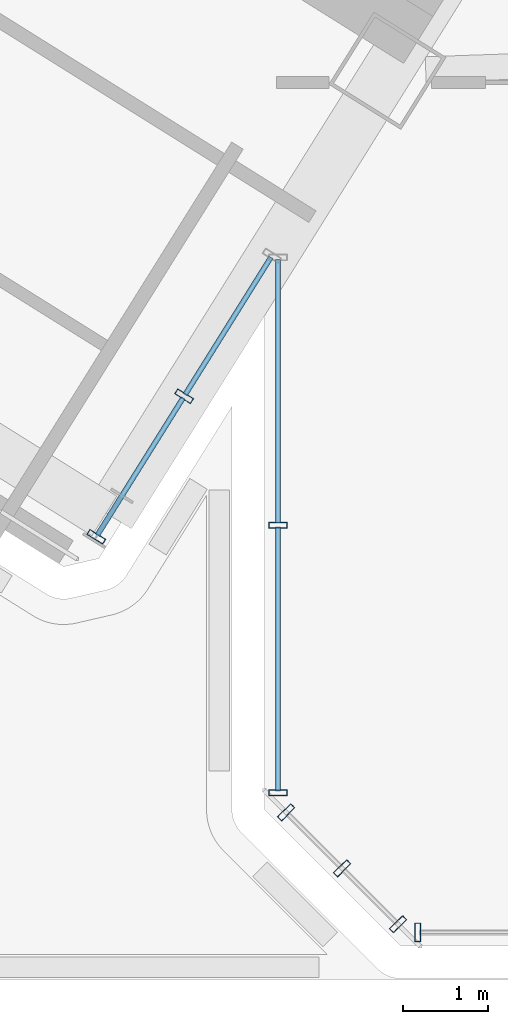
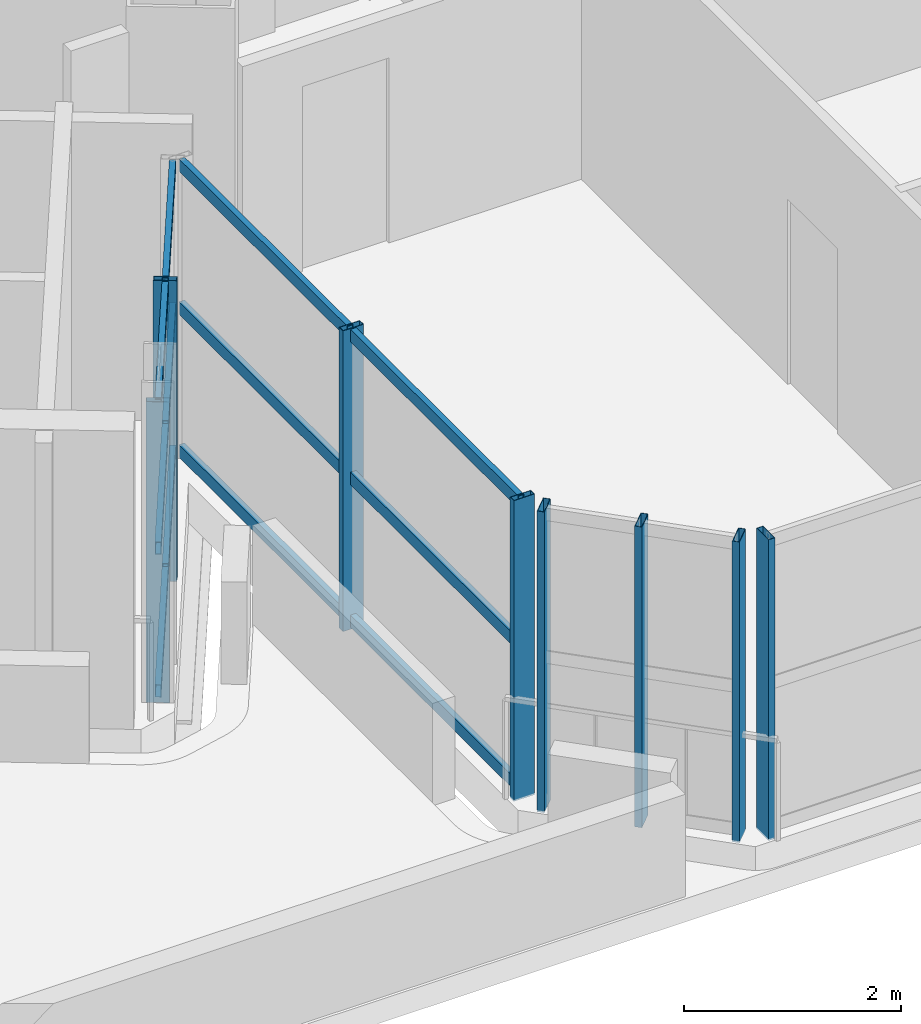
# One storey, part 4 of 28: 20 members, 4 elements without a shape of their own.
"""IFC4 building model written with IfcOpenShell, lengths in metres."""

from ifc_helpers import new_model, si_unit, direction, frame, origin, origin_2d, place, context, subcontext, project, spatial, hollow_rectangle, extrude, source, transform, mapped, material, material_profile, profile_set, type_object, element, aggregate, save


model = new_model("IFC4")

# Units and contexts
model_context = context("Model", 3, precision=1e-05, world=origin(), true_north=direction((0.0, 1.0)))
body_context = subcontext(model_context, "Body", "Model", "MODEL_VIEW")
ifc_project = project(units=[si_unit("LENGTHUNIT", "METRE"), si_unit("AREAUNIT", "SQUARE_METRE"), si_unit("VOLUMEUNIT", "CUBIC_METRE"), si_unit("PLANEANGLEUNIT", "RADIAN"), si_unit("MASSUNIT", "GRAM", prefix="KILO")], contexts=[model_context])

# Site, building, storey
site_placement = place(None, origin())
site = spatial("IfcSite", under=ifc_project, at=site_placement, CompositionType="ELEMENT")
building_placement = place(site_placement, origin())
building = spatial("IfcBuilding", under=site, at=building_placement, Name="Tlacorven Tower", CompositionType="ELEMENT")
storey_placement = place(building_placement, frame((0.0, 0.0, 24.0)))
storey = spatial("IfcBuildingStorey", under=building, at=storey_placement, Name="L05", CompositionType="ELEMENT", Elevation=24.0)

# Curtain wall, member
ifc_material_1 = material(Name="Dark solar low-E double glazing in aluminium frame", Category="aluminium")
curtain_wall_type = type_object("IfcCurtainWallType", Name="CW-TWR-LOW", PredefinedType="USERDEFINED", material=ifc_material_1)
curtain_wall_1_placement = place(storey_placement, origin())
curtain_wall_1 = element("IfcCurtainWall", 1, at=curtain_wall_1_placement, inside=storey, type_object=curtain_wall_type, Name="L05 CW-TWR-LOW Curtain Wall 22", ObjectType="UNITISED CURTAIN WALL", PredefinedType="USERDEFINED")
ifc_material_2 = material(Name="Aluminium 6063-T6 anodised", Category="aluminium")
ifc_material_profile_1 = material_profile(ifc_material_2, hollow_rectangle(XDim=0.070068359375, YDim=0.219970703125, WallThickness=0.0048828125, at=origin_2d()), Name="ALU MULLION 70X220")
ifc_profile_set_1 = profile_set([ifc_material_profile_1], Name="Aluminium 6063-T6 anodised")
member_type_1 = type_object("IfcMemberType", Name="CWM-01", PredefinedType="MULLION", material=ifc_profile_set_1)
shared_shape_1 = source(origin(), body_context, "Body", "SweptSolid", [
    extrude(hollow_rectangle(XDim=0.070068359375, YDim=0.219970703125, WallThickness=0.0048828125, at=origin_2d()), origin(), (0.0, 0.0, 1.0), 3.380126953125),
])
member_1_placement = place(storey_placement, frame((33.4013671875, 1.9599609375, -0.02001953125), z_axis=(0.0, 0.0, 1.0), x_axis=(-1.0, 0.0, 0.0)))
member_1 = element("IfcMember", 2, at=member_1_placement, type_object=member_type_1, Name="CW-L05-022 Mullion 4", PredefinedType="MULLION", context=body_context, shape_type="MappedRepresentation", body=[
    mapped(shared_shape_1, transform((0.0, 0.0, 0.0), scale=1.0)),
])
aggregate(curtain_wall_1, [member_1])

# Curtain wall, members
curtain_wall_2_placement = place(storey_placement, origin())
curtain_wall_2 = element("IfcCurtainWall", 3, at=curtain_wall_2_placement, inside=storey, type_object=curtain_wall_type, Name="L05 CW-TWR-LOW Curtain Wall 23", ObjectType="UNITISED CURTAIN WALL", PredefinedType="USERDEFINED")
member_2_placement = place(storey_placement, frame((33.1708984375, 2.055419921875, -0.02001953125), z_axis=(0.0, 0.0, 1.0), x_axis=(-0.707106781187, 0.707106781187, 0.0)))
member_2 = element("IfcMember", 4, at=member_2_placement, type_object=member_type_1, Name="CW-L05-023 Mullion 1", PredefinedType="MULLION", context=body_context, shape_type="MappedRepresentation", body=[
    mapped(shared_shape_1, transform((0.0, 0.0, 0.0), scale=1.0)),
])
member_3_placement = place(storey_placement, frame((32.51318359375, 2.713134765625, -0.02001953125), z_axis=(0.0, 0.0, 1.0), x_axis=(-0.707106781187, 0.707106781187, 0.0)))
member_3 = element("IfcMember", 5, at=member_3_placement, type_object=member_type_1, Name="CW-L05-023 Mullion 2", PredefinedType="MULLION", context=body_context, shape_type="MappedRepresentation", body=[
    mapped(shared_shape_1, transform((0.0, 0.0, 0.0), scale=1.0)),
])
member_4_placement = place(storey_placement, frame((31.85546875, 3.370849609375, -0.02001953125), z_axis=(0.0, 0.0, 1.0), x_axis=(-0.707106781187, 0.707106781187, 0.0)))
member_4 = element("IfcMember", 6, at=member_4_placement, type_object=member_type_1, Name="CW-L05-023 Mullion 3", PredefinedType="MULLION", context=body_context, shape_type="MappedRepresentation", body=[
    mapped(shared_shape_1, transform((0.0, 0.0, 0.0), scale=1.0)),
])
aggregate(curtain_wall_2, [member_2, member_3, member_4])

curtain_wall_3_placement = place(storey_placement, origin())
curtain_wall_3 = element("IfcCurtainWall", 7, at=curtain_wall_3_placement, inside=storey, type_object=curtain_wall_type, Name="L05 CW-TWR-LOW Curtain Wall 24", ObjectType="UNITISED CURTAIN WALL", PredefinedType="USERDEFINED")
member_5_placement = place(storey_placement, frame((31.760009765625, 3.601318359375, -0.02001953125), z_axis=(0.0, 0.0, 1.0), x_axis=(0.0, 1.0, 0.0)))
member_5 = element("IfcMember", 8, at=member_5_placement, type_object=member_type_1, Name="CW-L05-024 Mullion 1", PredefinedType="MULLION", context=body_context, shape_type="MappedRepresentation", body=[
    mapped(shared_shape_1, transform((0.0, 0.0, 0.0), scale=1.0)),
])
member_6_placement = place(storey_placement, frame((31.760009765625, 6.74755859375, -0.02001953125), z_axis=(0.0, 0.0, 1.0), x_axis=(0.0, 1.0, 0.0)))
member_6 = element("IfcMember", 9, at=member_6_placement, type_object=member_type_1, Name="CW-L05-024 Mullion 2", PredefinedType="MULLION", context=body_context, shape_type="MappedRepresentation", body=[
    mapped(shared_shape_1, transform((0.0, 0.0, 0.0), scale=1.0)),
])

curtain_wall_4_placement = place(storey_placement, origin())
curtain_wall_4 = element("IfcCurtainWall", 10, at=curtain_wall_4_placement, inside=storey, type_object=curtain_wall_type, Name="L05 CW-TWR-LOW Curtain Wall 25", ObjectType="UNITISED CURTAIN WALL", PredefinedType="USERDEFINED")
member_7_placement = place(storey_placement, frame((30.656005859375, 8.261962890625, -0.02001953125), z_axis=(0.0, 0.0, 1.0), x_axis=(-0.529918710919, -0.848048441905, 0.0)))
member_7 = element("IfcMember", 11, at=member_7_placement, type_object=member_type_1, Name="CW-L05-025 Mullion 2", PredefinedType="MULLION", context=body_context, shape_type="MappedRepresentation", body=[
    mapped(shared_shape_1, transform((0.0, 0.0, 0.0), scale=1.0)),
])
member_8_placement = place(storey_placement, frame((29.62353515625, 6.609619140625, -0.02001953125), z_axis=(0.0, 0.0, 1.0), x_axis=(-0.529918710919, -0.848048441905, 0.0)))
member_8 = element("IfcMember", 12, at=member_8_placement, type_object=member_type_1, Name="CW-L05-025 Mullion 3", PredefinedType="MULLION", context=body_context, shape_type="MappedRepresentation", body=[
    mapped(shared_shape_1, transform((0.0, 0.0, 0.0), scale=1.0)),
])

# Member
ifc_material_profile_2 = material_profile(ifc_material_2, hollow_rectangle(XDim=0.06005859375, YDim=0.139892578125, WallThickness=0.00390625, at=origin_2d()), Name="ALU TRANSOM 60X140")
ifc_profile_set_2 = profile_set([ifc_material_profile_2], Name="Aluminium 6063-T6 anodised")
member_type_2 = type_object("IfcMemberType", Name="CWT-02", PredefinedType="USERDEFINED", material=ifc_profile_set_2)
shared_shape_2 = source(origin(), body_context, "Body", "SweptSolid", [
    extrude(hollow_rectangle(XDim=0.06005859375, YDim=0.139892578125, WallThickness=0.00390625, at=origin_2d()), origin(), (0.0, 0.0, 1.0), 3.10009765625),
])
member_9_placement = place(storey_placement, frame((31.760009765625, 3.624267578125, 0.070068359375), z_axis=(0.0, 1.0, 0.0), x_axis=(-1.0, 0.0, 0.0)))
member_9 = element("IfcMember", 13, at=member_9_placement, type_object=member_type_2, Name="CW-L05-024 Transom 1", ObjectType="TRANSOM", PredefinedType="USERDEFINED", context=body_context, shape_type="MappedRepresentation", body=[
    mapped(shared_shape_2, transform((0.0, 0.0, 0.0), scale=1.0)),
])

member_10_placement = place(storey_placement, frame((31.760009765625, 3.624267578125, 1.675048828125), z_axis=(0.0, 1.0, 0.0), x_axis=(-1.0, 0.0, 0.0)))
member_10 = element("IfcMember", 14, at=member_10_placement, type_object=member_type_2, Name="CW-L05-024 Transom 2", ObjectType="TRANSOM", PredefinedType="USERDEFINED", context=body_context, shape_type="MappedRepresentation", body=[
    mapped(shared_shape_2, transform((0.0, 0.0, 0.0), scale=1.0)),
])

member_11_placement = place(storey_placement, frame((31.760009765625, 3.624267578125, 3.280029296875), z_axis=(0.0, 1.0, 0.0), x_axis=(-1.0, 0.0, 0.0)))
member_11 = element("IfcMember", 15, at=member_11_placement, type_object=member_type_2, Name="CW-L05-024 Transom 3", ObjectType="TRANSOM", PredefinedType="USERDEFINED", context=body_context, shape_type="MappedRepresentation", body=[
    mapped(shared_shape_2, transform((0.0, 0.0, 0.0), scale=1.0)),
])

member_12_placement = place(storey_placement, frame((31.760009765625, 6.7705078125, 0.070068359375), z_axis=(0.0, 1.0, 0.0), x_axis=(-1.0, 0.0, 0.0)))
member_12 = element("IfcMember", 16, at=member_12_placement, type_object=member_type_2, Name="CW-L05-024 Transom 4", ObjectType="TRANSOM", PredefinedType="USERDEFINED", context=body_context, shape_type="MappedRepresentation", body=[
    mapped(shared_shape_2, transform((0.0, 0.0, 0.0), scale=1.0)),
])

member_13_placement = place(storey_placement, frame((31.760009765625, 6.7705078125, 1.675048828125), z_axis=(0.0, 1.0, 0.0), x_axis=(-1.0, 0.0, 0.0)))
member_13 = element("IfcMember", 17, at=member_13_placement, type_object=member_type_2, Name="CW-L05-024 Transom 5", ObjectType="TRANSOM", PredefinedType="USERDEFINED", context=body_context, shape_type="MappedRepresentation", body=[
    mapped(shared_shape_2, transform((0.0, 0.0, 0.0), scale=1.0)),
])

member_14_placement = place(storey_placement, frame((31.760009765625, 6.7705078125, 3.280029296875), z_axis=(0.0, 1.0, 0.0), x_axis=(-1.0, 0.0, 0.0)))
member_14 = element("IfcMember", 18, at=member_14_placement, type_object=member_type_2, Name="CW-L05-024 Transom 6", ObjectType="TRANSOM", PredefinedType="USERDEFINED", context=body_context, shape_type="MappedRepresentation", body=[
    mapped(shared_shape_2, transform((0.0, 0.0, 0.0), scale=1.0)),
])

aggregate(curtain_wall_3, [member_5, member_6, member_9, member_10, member_11, member_12, member_13, member_14])

shared_shape_3 = source(origin(), body_context, "Body", "SweptSolid", [
    extrude(hollow_rectangle(XDim=0.06005859375, YDim=0.139892578125, WallThickness=0.00390625, at=origin_2d()), origin(), (0.0, 0.0, 1.0), 1.902587890625),
])
member_15_placement = place(storey_placement, frame((31.67626953125, 9.894775390625, 0.070068359375), z_axis=(-0.529848980307, -0.848092010378, 0.0), x_axis=(0.848092010378, -0.529848980307, 0.0)))
member_15 = element("IfcMember", 19, at=member_15_placement, type_object=member_type_2, Name="CW-L05-025 Transom 1", ObjectType="TRANSOM", PredefinedType="USERDEFINED", context=body_context, shape_type="MappedRepresentation", body=[
    mapped(shared_shape_3, transform((0.0, 0.0, 0.0), scale=1.0)),
])

member_16_placement = place(storey_placement, frame((31.67626953125, 9.894775390625, 1.675048828125), z_axis=(-0.529848980307, -0.848092010378, 0.0), x_axis=(0.848092010378, -0.529848980307, 0.0)))
member_16 = element("IfcMember", 20, at=member_16_placement, type_object=member_type_2, Name="CW-L05-025 Transom 2", ObjectType="TRANSOM", PredefinedType="USERDEFINED", context=body_context, shape_type="MappedRepresentation", body=[
    mapped(shared_shape_3, transform((0.0, 0.0, 0.0), scale=1.0)),
])

member_17_placement = place(storey_placement, frame((31.67626953125, 9.894775390625, 3.280029296875), z_axis=(-0.529848980307, -0.848092010378, 0.0), x_axis=(0.848092010378, -0.529848980307, 0.0)))
member_17 = element("IfcMember", 21, at=member_17_placement, type_object=member_type_2, Name="CW-L05-025 Transom 3", ObjectType="TRANSOM", PredefinedType="USERDEFINED", context=body_context, shape_type="MappedRepresentation", body=[
    mapped(shared_shape_3, transform((0.0, 0.0, 0.0), scale=1.0)),
])

shared_shape_4 = source(origin(), body_context, "Body", "SweptSolid", [
    extrude(hollow_rectangle(XDim=0.06005859375, YDim=0.139892578125, WallThickness=0.00390625, at=origin_2d()), origin(), (0.0, 0.0, 1.0), 1.90234375),
])
member_18_placement = place(storey_placement, frame((30.643798828125, 8.242431640625, 0.070068359375), z_axis=(-0.52990664903, -0.84805597888, 0.0), x_axis=(0.84805597888, -0.52990664903, 0.0)))
member_18 = element("IfcMember", 22, at=member_18_placement, type_object=member_type_2, Name="CW-L05-025 Transom 4", ObjectType="TRANSOM", PredefinedType="USERDEFINED", context=body_context, shape_type="MappedRepresentation", body=[
    mapped(shared_shape_4, transform((0.0, 0.0, 0.0), scale=1.0)),
])

member_19_placement = place(storey_placement, frame((30.643798828125, 8.242431640625, 1.675048828125), z_axis=(-0.52990664903, -0.84805597888, 0.0), x_axis=(0.84805597888, -0.52990664903, 0.0)))
member_19 = element("IfcMember", 23, at=member_19_placement, type_object=member_type_2, Name="CW-L05-025 Transom 5", ObjectType="TRANSOM", PredefinedType="USERDEFINED", context=body_context, shape_type="MappedRepresentation", body=[
    mapped(shared_shape_4, transform((0.0, 0.0, 0.0), scale=1.0)),
])

member_20_placement = place(storey_placement, frame((30.643798828125, 8.242431640625, 3.280029296875), z_axis=(-0.52990664903, -0.84805597888, 0.0), x_axis=(0.84805597888, -0.52990664903, 0.0)))
member_20 = element("IfcMember", 24, at=member_20_placement, type_object=member_type_2, Name="CW-L05-025 Transom 6", ObjectType="TRANSOM", PredefinedType="USERDEFINED", context=body_context, shape_type="MappedRepresentation", body=[
    mapped(shared_shape_4, transform((0.0, 0.0, 0.0), scale=1.0)),
])

aggregate(curtain_wall_4, [member_7, member_8, member_15, member_16, member_17, member_18, member_19, member_20])

save(model, "model.ifc")
